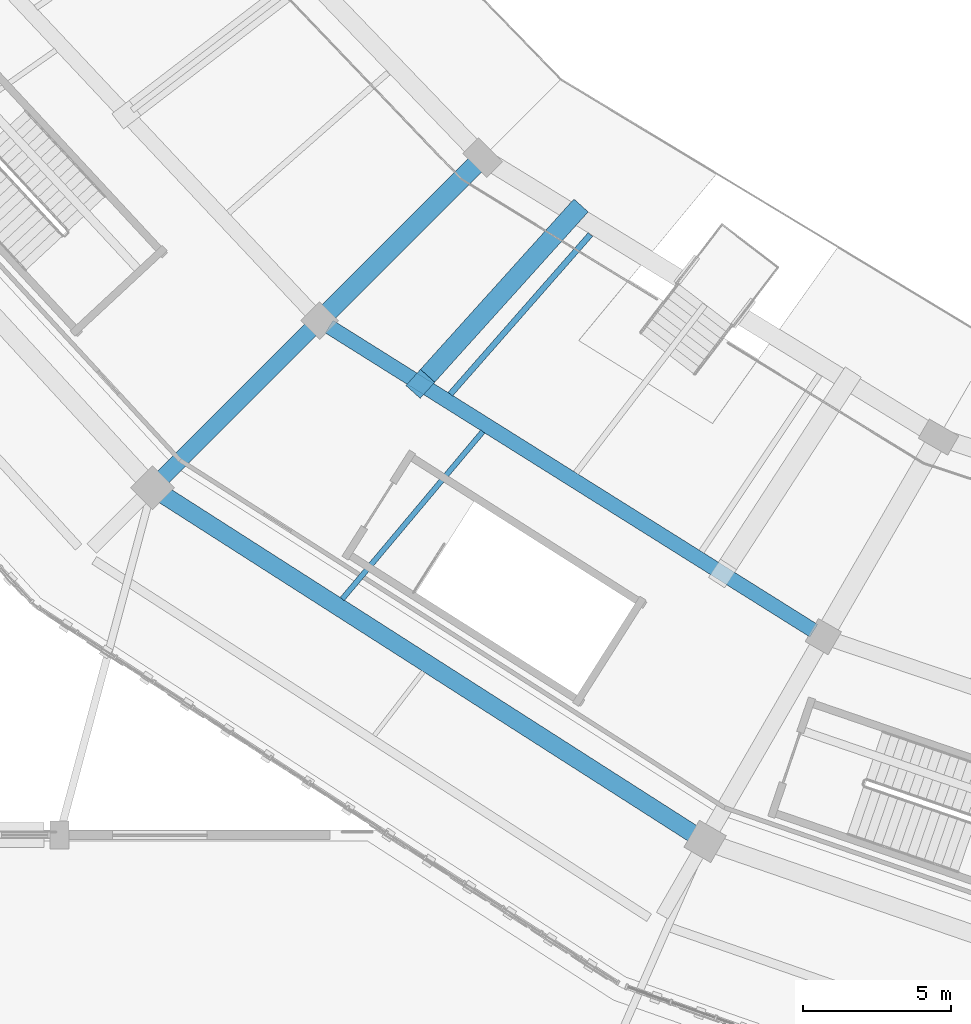
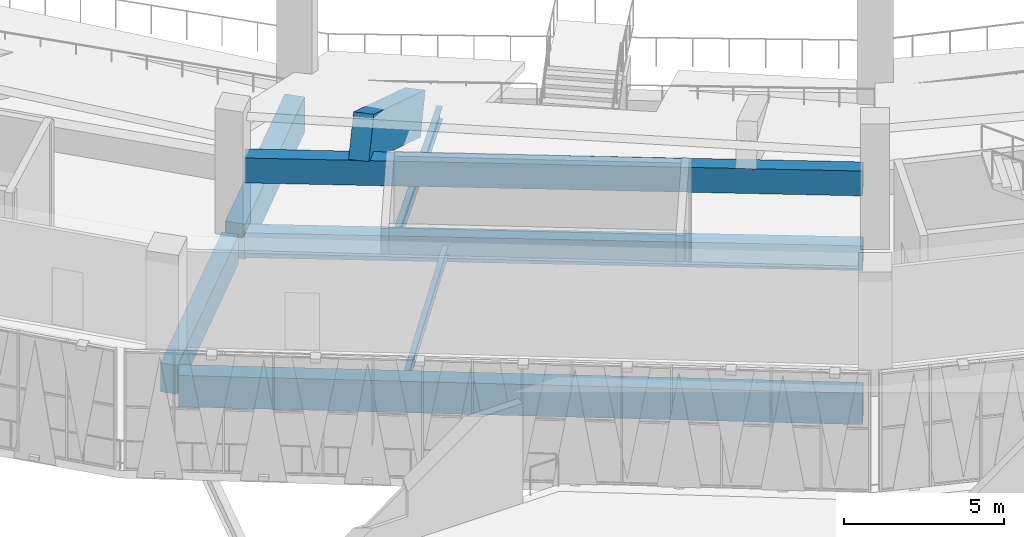
# One storey, part 10 of 152: 8 beams.
"""IFC4 building model written with IfcOpenShell, lengths in metres."""

from ifc_helpers import new_model, si_unit, direction, frame, origin, origin_2d, place, context, subcontext, project, spatial, rectangle, i_section, extrude, material, material_profile, profile_set, type_object, element, save


model = new_model("IFC4")

# Units and contexts
model_context = context("Model", 3, precision=1e-05, world=origin(), true_north=direction((0.0, 1.0)))
body_context = subcontext(model_context, "Body", "Model", "MODEL_VIEW")
ifc_project = project(units=[si_unit("LENGTHUNIT", "METRE"), si_unit("AREAUNIT", "SQUARE_METRE"), si_unit("VOLUMEUNIT", "CUBIC_METRE"), si_unit("PLANEANGLEUNIT", "RADIAN"), si_unit("MASSUNIT", "GRAM", prefix="KILO")], contexts=[model_context])

# Site, building, storey
site_placement = place(None, origin())
site = spatial("IfcSite", under=ifc_project, at=site_placement, CompositionType="ELEMENT")
building_placement = place(site_placement, origin())
building = spatial("IfcBuilding", under=site, at=building_placement, Name="Zevraka Park Crest Stadium", CompositionType="ELEMENT")
storey_placement = place(building_placement, frame((0.0, 0.0, 15.0)))
storey = spatial("IfcBuildingStorey", under=building, at=storey_placement, Name="L03", CompositionType="ELEMENT", Elevation=15.0)

# Beams
ifc_material_1 = material(Name="Concrete C40/50", Category="concrete")
ifc_material_profile_1 = material_profile(ifc_material_1, rectangle(XDim=0.64990234375, YDim=1.35009765625, at=origin_2d()), Name="RC 1350x650")
ifc_profile_set_1 = profile_set([ifc_material_profile_1], Name="Concrete C40/50")
beam_type_1 = type_object("IfcBeamType", Name="BG01", PredefinedType="BEAM", material=ifc_profile_set_1)
beam_1_placement = place(storey_placement, frame((59.10888671875, 49.715087890625, -0.68505859375), z_axis=(-0.707157639372, -0.707055919343, 0.0), x_axis=(0.707055919343, -0.707157639372, 0.0)))
element("IfcBeam", 1, at=beam_1_placement, inside=storey, type_object=beam_type_1, Name="Radial Girder BG01 L03-BC-15", PredefinedType="BEAM", context=body_context, shape_type="SweptSolid", body=[
    extrude(rectangle(XDim=0.64990234375, YDim=1.35009765625, at=origin_2d()), origin(), (0.0, 0.0, 1.0), 7.200439453125),
])
ifc_material_2 = material(Name="Concrete C40/50", Category="concrete")
ifc_material_profile_2 = material_profile(ifc_material_2, rectangle(XDim=0.550048828125, YDim=1.10009765625, at=origin_2d()), Name="RC 1100x550")
ifc_profile_set_2 = profile_set([ifc_material_profile_2], Name="Concrete C40/50")
beam_type_2 = type_object("IfcBeamType", Name="BG02", PredefinedType="BEAM", material=ifc_profile_set_2)
beam_2_placement = place(storey_placement, frame((53.593017578125, 44.199951171875, -0.56005859375), z_axis=(-0.707106781187, -0.707106781187, 0.0), x_axis=(0.707106781187, -0.707106781187, 0.0)))
element("IfcBeam", 2, at=beam_2_placement, inside=storey, type_object=beam_type_2, Name="Radial Girder BG02 L03-CD-15", PredefinedType="BEAM", context=body_context, shape_type="SweptSolid", body=[
    extrude(rectangle(XDim=0.550048828125, YDim=1.10009765625, at=origin_2d()), origin(), (0.0, 0.0, 1.0), 7.400390625),
])
ifc_material_3 = material(Name="Concrete C40/50", Category="concrete")
ifc_material_profile_3 = material_profile(ifc_material_3, rectangle(XDim=0.60009765625, YDim=1.199951171875, at=origin_2d()), Name="RC 1200x600")
ifc_profile_set_3 = profile_set([ifc_material_profile_3], Name="Concrete C40/50")
beam_type_3 = type_object("IfcBeamType", Name="RB01", PredefinedType="BEAM", material=ifc_profile_set_3)
beam_3_placement = place(storey_placement, frame((48.468017578125, 38.550048828125, -0.610107421875), z_axis=(0.842325571453, -0.538969045193, 0.0), x_axis=(0.538969045193, 0.842325571453, 0.0)))
element("IfcBeam", 3, at=beam_3_placement, inside=storey, type_object=beam_type_3, Name="Ring Beam RB01 L03-D-15", PredefinedType="BEAM", context=body_context, shape_type="SweptSolid", body=[
    extrude(rectangle(XDim=0.60009765625, YDim=1.199951171875, at=origin_2d()), origin(), (0.0, 0.0, 1.0), 21.443115234375),
])
ifc_material_4 = material(Name="Concrete C40/50", Category="concrete")
ifc_material_profile_4 = material_profile(ifc_material_4, rectangle(XDim=0.5, YDim=0.949951171875, at=origin_2d()), Name="RC 950x500")
ifc_profile_set_4 = profile_set([ifc_material_profile_4], Name="Concrete C40/50")
beam_type_4 = type_object("IfcBeamType", Name="RB02", PredefinedType="BEAM", material=ifc_profile_set_4)
for number, where, z_axis, x_axis, name in (
    (4, (54.126953125, 44.2099609375, -0.485107421875), (0.847038516183, -0.531531515625, 0.0), (0.531531515625, 0.847038516183, 0.0), "Ring Beam RB02 L03-C-15"),
    (5, (54.126953125, 44.2099609375, 2.375), (0.847038516183, -0.531531515625, 0.0), (0.531531515625, 0.847038516183, 0.0), "Upper Tier Head Raker Ring Beam RB02 15"),
):
    element("IfcBeam", number, at=place(storey_placement, frame(where, z_axis=z_axis, x_axis=x_axis)), inside=storey, type_object=beam_type_4, Name=name, PredefinedType="BEAM", context=body_context, shape_type="SweptSolid", body=[
        extrude(rectangle(XDim=0.5, YDim=0.949951171875, at=origin_2d()), origin(), (0.0, 0.0, 1.0), 19.36279296875),
    ])
ifc_material_5 = material(Name="Concrete C40/50", Category="concrete")
ifc_material_profile_5 = material_profile(ifc_material_5, rectangle(XDim=0.64990234375, YDim=1.5, at=origin_2d()), Name="RC 1500x650")
ifc_profile_set_5 = profile_set([ifc_material_profile_5], Name="Concrete C40/50")
beam_type_5 = type_object("IfcBeamType", Name="RK02", PredefinedType="BEAM", material=ifc_profile_set_5)
beam_4_placement = place(storey_placement, frame((62.406982421875, 48.035888671875, -0.800048828125), z_axis=(-0.582906361963, -0.646897257835, 0.491674802068), x_axis=(0.74289496381, -0.669408001705, 0.0)))
element("IfcBeam", 6, at=beam_4_placement, inside=storey, type_object=beam_type_5, Name="Upper Bowl Main Raker Girder RK02 15-1", PredefinedType="BEAM", context=body_context, shape_type="SweptSolid", body=[
    extrude(rectangle(XDim=0.64990234375, YDim=1.5, at=origin_2d()), origin(), (0.0, 0.0, 1.0), 8.90869140625),
])
ifc_material_6 = material(Name="Steel S355", Category="steel")
ifc_material_profile_6 = material_profile(ifc_material_6, i_section(OverallWidth=0.179931640625, OverallDepth=0.39990234375, WebThickness=0.008544921875, FlangeThickness=0.013427734375, at=origin_2d()), Name="IPE 400")
ifc_profile_set_6 = profile_set([ifc_material_profile_6], Name="Steel S355")
beam_type_6 = type_object("IfcBeamType", Name="SJ09", PredefinedType="JOIST", material=ifc_profile_set_6)
beam_5_placement = place(storey_placement, frame((59.3291015625, 40.658935546875, -0.508056640625), z_axis=(-0.642939005042, -0.765917381834, 0.0), x_axis=(0.765917381834, -0.642939005042, 0.0)))
element("IfcBeam", 7, at=beam_5_placement, inside=storey, type_object=beam_type_6, Name="Floor Joist SJ09 L03-CD-15-1", PredefinedType="JOIST", context=body_context, shape_type="SweptSolid", body=[
    extrude(i_section(OverallWidth=0.179931640625, OverallDepth=0.39990234375, WebThickness=0.008544921875, FlangeThickness=0.013427734375, at=origin_2d()), origin(), (0.0, 0.0, 1.0), 7.39892578125),
])
ifc_material_7 = material(Name="Steel S355", Category="steel")
ifc_material_profile_7 = material_profile(ifc_material_7, i_section(OverallWidth=0.199951171875, OverallDepth=0.5, WebThickness=0.01025390625, FlangeThickness=0.01611328125, at=origin_2d()), Name="IPE 500")
ifc_profile_set_7 = profile_set([ifc_material_profile_7], Name="Steel S355")
beam_type_7 = type_object("IfcBeamType", Name="SJ10", PredefinedType="JOIST", material=ifc_profile_set_7)
beam_6_placement = place(storey_placement, frame((62.969970703125, 47.325927734375, -0.55810546875), z_axis=(-0.659576187041, -0.751637714254, 0.0), x_axis=(0.751637714254, -0.659576187041, 0.0)))
element("IfcBeam", 8, at=beam_6_placement, inside=storey, type_object=beam_type_7, Name="Floor Joist SJ10 L03-BC-15-1", PredefinedType="JOIST", context=body_context, shape_type="SweptSolid", body=[
    extrude(i_section(OverallWidth=0.199951171875, OverallDepth=0.5, WebThickness=0.01025390625, FlangeThickness=0.01611328125, at=origin_2d()), origin(), (0.0, 0.0, 1.0), 7.189453125),
])

save(model, "model.ifc")
